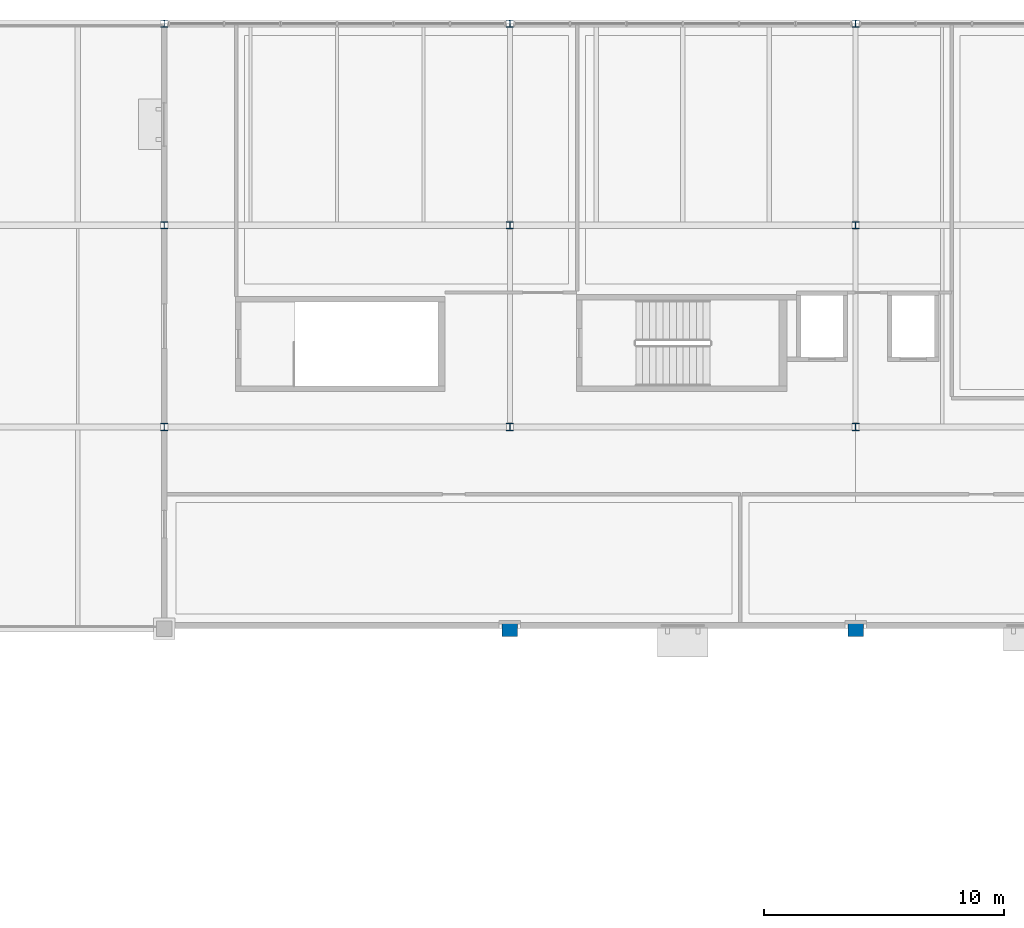
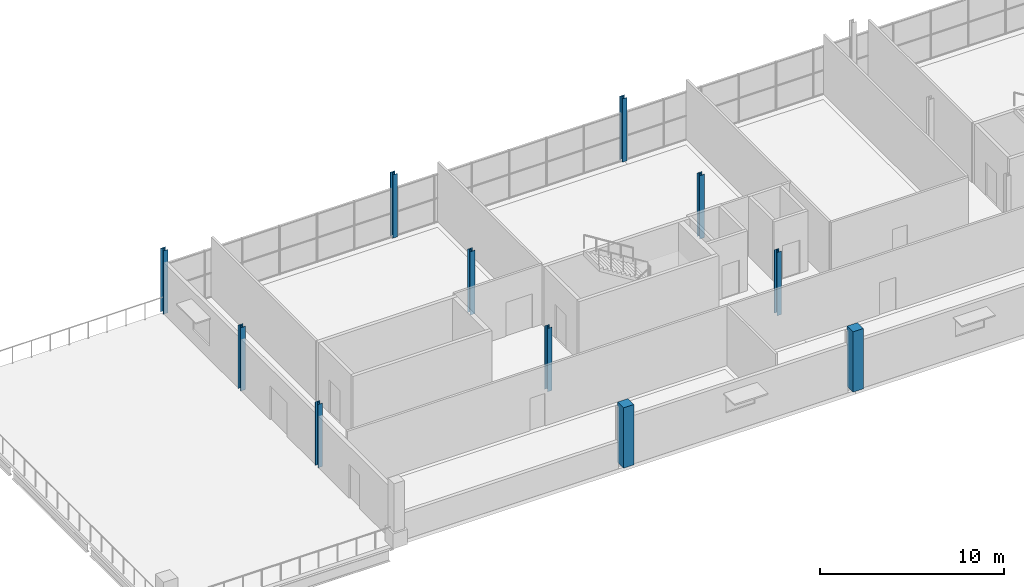
# One storey, part 5 of 68: 11 columns.
"""IFC4 building model written with IfcOpenShell, lengths in metres."""

from ifc_helpers import new_model, si_unit, direction, frame, origin, origin_2d, place, context, subcontext, project, spatial, rectangle, i_section, extrude, material, material_profile, profile_set, type_object, element, save


model = new_model("IFC4")

# Units and contexts
model_context = context("Model", 3, precision=1e-05, world=origin(), true_north=direction((0.0, 1.0)))
body_context = subcontext(model_context, "Body", "Model", "MODEL_VIEW")
ifc_project = project(units=[si_unit("LENGTHUNIT", "METRE"), si_unit("AREAUNIT", "SQUARE_METRE"), si_unit("VOLUMEUNIT", "CUBIC_METRE"), si_unit("PLANEANGLEUNIT", "RADIAN"), si_unit("MASSUNIT", "GRAM", prefix="KILO"), si_unit("THERMODYNAMICTEMPERATUREUNIT", "KELVIN")], contexts=[model_context])

# Site, building, storey
site_placement = place(None, origin())
site = spatial("IfcSite", under=ifc_project, at=site_placement, CompositionType="ELEMENT")
building_placement = place(site_placement, origin())
building = spatial("IfcBuilding", under=site, at=building_placement, Name="Nduvali Passage Aquatics Centre", CompositionType="ELEMENT")
storey_placement = place(building_placement, frame((0.0, 0.0, 13.199951171875)))
storey = spatial("IfcBuildingStorey", under=building, at=storey_placement, Name="L03", CompositionType="ELEMENT", Elevation=13.199951171875)

# Columns
ifc_material_1 = material(Name="Steel S355", Category="steel")
ifc_material_profile_1 = material_profile(ifc_material_1, i_section(OverallWidth=0.300048828125, OverallDepth=0.300048828125, WebThickness=0.010986328125, FlangeThickness=0.01904296875, FilletRadius=0.027099609375, at=origin_2d()), Name="HEB 300")
ifc_profile_set_1 = profile_set([ifc_material_profile_1], Name="Steel S355")
column_type_1 = type_object("IfcColumnType", Name="STR-COL-HEB300", PredefinedType="COLUMN", material=ifc_profile_set_1)
for number, where, z_axis, x_axis, name in (
    (1, (68.39990234375, 100.800048828125, 0.0), (0.0, 0.0, 1.0), (1.0, 0.0, 0.0), "L03 Column C8 (68.4, 100.8)"),
    (2, (68.39990234375, 109.199951171875, 0.0), (0.0, 0.0, 1.0), (1.0, 0.0, 0.0), "L03 Column C8 (68.4, 109.2)"),
    (3, (82.800048828125, 100.800048828125, 0.0), (0.0, 0.0, 1.0), (1.0, 0.0, 0.0), "L03 Column C8 (82.8, 100.8)"),
    (4, (82.800048828125, 109.199951171875, 0.0), (0.0, 0.0, 1.0), (1.0, 0.0, 0.0), "L03 Column C8 (82.8, 109.2)"),
):
    element("IfcColumn", number, at=place(storey_placement, frame(where, z_axis=z_axis, x_axis=x_axis)), inside=storey, type_object=column_type_1, Name=name, PredefinedType="COLUMN", context=body_context, shape_type="SweptSolid", body=[
        extrude(i_section(OverallWidth=0.300048828125, OverallDepth=0.300048828125, WebThickness=0.010986328125, FlangeThickness=0.01904296875, FilletRadius=0.027099609375, at=origin_2d()), origin(), (0.0, 0.0, 1.0), 4.199951171875),
    ])
ifc_material_profile_2 = material_profile(ifc_material_1, i_section(OverallWidth=0.300048828125, OverallDepth=0.300048828125, WebThickness=0.010986328125, FlangeThickness=0.01904296875, FilletRadius=0.027099609375, at=origin_2d()), Name="HEB 300")
ifc_profile_set_2 = profile_set([ifc_material_profile_2], Name="Steel S355")
column_type_2 = type_object("IfcColumnType", Name="STR-COL-HEB300-EXT", PredefinedType="COLUMN", material=ifc_profile_set_2)
for number, where, z_axis, x_axis, name in (
    (5, (54.0, 100.800048828125, 0.0), (0.0, 0.0, 1.0), (1.0, 0.0, 0.0), "L03 Column C8E (54.0, 100.8)"),
    (6, (54.0, 109.199951171875, 0.0), (0.0, 0.0, 1.0), (1.0, 0.0, 0.0), "L03 Column C8E (54.0, 109.2)"),
    (7, (54.0, 117.60009765625, 0.0), (0.0, 0.0, 1.0), (1.0, 0.0, 0.0), "L03 Column C8E (54.0, 117.6)"),
    (8, (68.39990234375, 117.60009765625, 0.0), (0.0, 0.0, 1.0), (1.0, 0.0, 0.0), "L03 Column C8E (68.4, 117.6)"),
    (9, (82.800048828125, 117.60009765625, 0.0), (0.0, 0.0, 1.0), (1.0, 0.0, 0.0), "L03 Column C8E (82.8, 117.6)"),
):
    element("IfcColumn", number, at=place(storey_placement, frame(where, z_axis=z_axis, x_axis=x_axis)), inside=storey, type_object=column_type_2, Name=name, PredefinedType="COLUMN", context=body_context, shape_type="SweptSolid", body=[
        extrude(i_section(OverallWidth=0.300048828125, OverallDepth=0.300048828125, WebThickness=0.010986328125, FlangeThickness=0.01904296875, FilletRadius=0.027099609375, at=origin_2d()), origin(), (0.0, 0.0, 1.0), 4.199951171875),
    ])
ifc_material_2 = material(Name="Concrete C40/50", Category="concrete")
ifc_material_profile_3 = material_profile(ifc_material_2, rectangle(XDim=0.64990234375, YDim=0.64990234375, at=origin_2d()), Name="RC 650x650")
ifc_profile_set_3 = profile_set([ifc_material_profile_3], Name="Concrete C40/50")
column_type_3 = type_object("IfcColumnType", Name="STR-COL-RC650-EXT", PredefinedType="COLUMN", material=ifc_profile_set_3)
for number, where, z_axis, x_axis, name in (
    (10, (68.39990234375, 92.39990234375, 0.20263671875), (0.0, 0.0, 1.0), (1.0, 0.0, 0.0), "L03 Column C3E (68.4, 92.4)"),
    (11, (82.800048828125, 92.39990234375, 0.20263671875), (0.0, 0.0, 1.0), (1.0, 0.0, 0.0), "L03 Column C3E (82.8, 92.4)"),
):
    element("IfcColumn", number, at=place(storey_placement, frame(where, z_axis=z_axis, x_axis=x_axis)), inside=storey, type_object=column_type_3, Name=name, PredefinedType="COLUMN", context=body_context, shape_type="SweptSolid", body=[
        extrude(rectangle(XDim=0.64990234375, YDim=0.64990234375, at=origin_2d()), origin(), (0.0, 0.0, 1.0), 3.997314453125),
    ])

save(model, "model.ifc")
